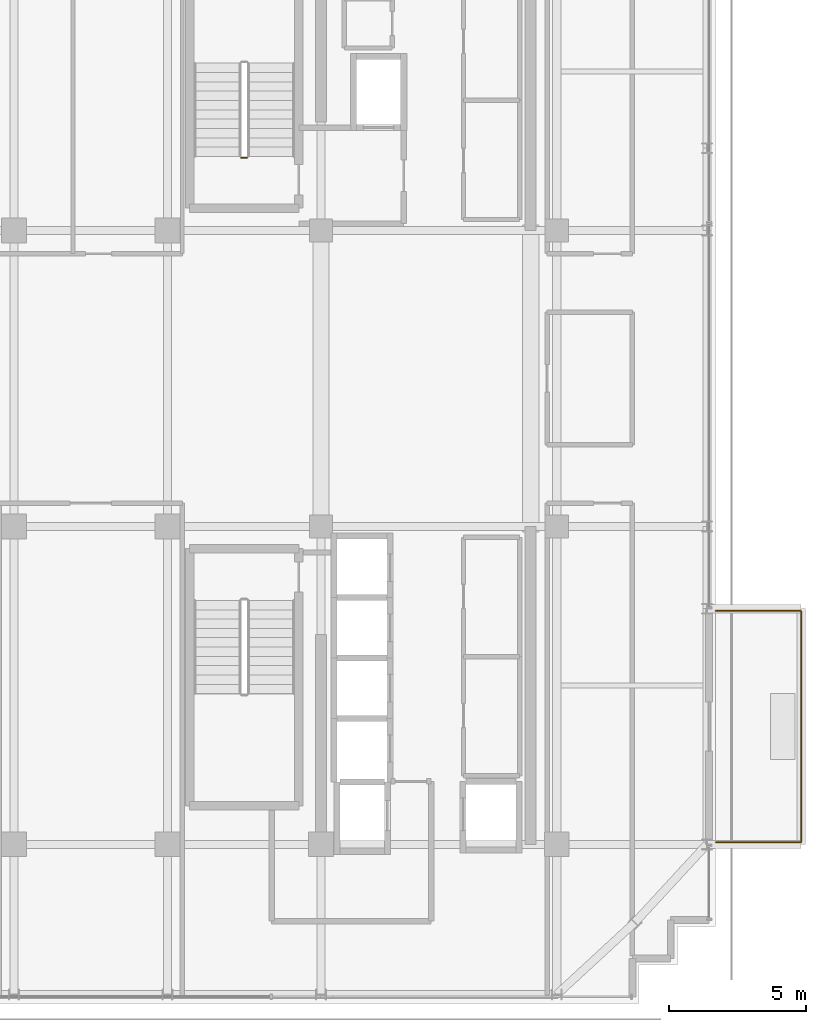
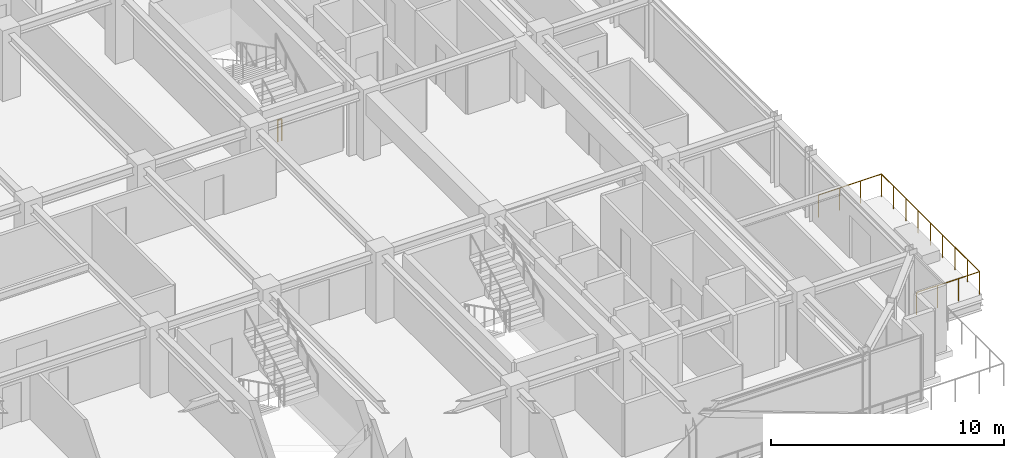
# One storey, part 30 of 32: 2 railings.
"""IFC4 building model written with IfcOpenShell, lengths in metres."""

import ifcopenshell
import ifcopenshell.guid

model = None  # the IFC model being written
_history = None  # IfcOwnerHistory: only IFC2X3 demands one
_inside = {}  # id of a spatial element -> (the spatial element, [elements in it])
_under = {}  # id of a project, library or spatial element -> (it, [spatial elements below it])
_declared = {}  # id of a project -> (the project, [libraries it declares])
_typed = {}  # id of a type object -> (the type object, [elements of that type])
_made_of = {}  # id of a material, layer set ... -> (it, [elements and type objects made of it])


def new_model(schema):
    """Start an empty IFC model of exactly this schema.

    Asked for "IFC4X3", IfcOpenShell would pick the latest addendum, in which some entities
    have other attributes; the version numbers below select the first issue.
    IFC2X3 requires an IfcOwnerHistory on every rooted entity: one is made here for all.
    """
    global model, _history
    if schema == "IFC4X3":
        model = ifcopenshell.file(schema_version=(4, 3, 0, 0))
    else:
        model = ifcopenshell.file(schema=schema)
    _inside.clear()
    _under.clear()
    _declared.clear()
    _typed.clear()
    _made_of.clear()
    _history = None
    if model.schema == "IFC2X3":
        org = make("IfcOrganization", Name="unknown")
        user = make(
            "IfcPersonAndOrganization",
            ThePerson=make("IfcPerson", FamilyName="unknown"),
            TheOrganization=org,
        )
        app = make(
            "IfcApplication",
            ApplicationDeveloper=org,
            Version="unknown",
            ApplicationFullName="unknown",
            ApplicationIdentifier="unknown",
        )
        _history = make(
            "IfcOwnerHistory",
            OwningUser=user,
            OwningApplication=app,
            ChangeAction="ADDED",
            CreationDate=0,
        )
    return model


def make(cls, **values):
    """One entity of the class cls with the attributes given. An attribute that is None is left unset."""
    return model.create_entity(
        cls, **{name: value for name, value in values.items() if value is not None}
    )


def rooted(cls, **values):
    """An entity with a GlobalId (a new one), such as an element, a storey or a relation."""
    return make(cls, GlobalId=ifcopenshell.guid.new(), OwnerHistory=_history, **values)


def si_unit(unit_type, name, prefix=None):
    """IfcSIUnit, for example si_unit("LENGTHUNIT", "METRE", prefix="MILLI")."""
    return make("IfcSIUnit", UnitType=unit_type, Prefix=prefix, Name=name)


def assignment(units):
    """IfcUnitAssignment: the units of a project."""
    return None if units is None else make("IfcUnitAssignment", Units=units)


def point(xyz):
    """IfcCartesianPoint."""
    return None if xyz is None else make("IfcCartesianPoint", Coordinates=xyz)


def direction(xyz):
    """IfcDirection."""
    return None if xyz is None else make("IfcDirection", DirectionRatios=xyz)


def frame(location, z_axis=None, x_axis=None):
    """IfcAxis2Placement3D, a coordinate frame: its origin and axes. An axis left out is left unset."""
    return make(
        "IfcAxis2Placement3D",
        Location=point(location),
        Axis=direction(z_axis),
        RefDirection=direction(x_axis),
    )


def frame_2d(location, x_axis=None):
    """IfcAxis2Placement2D, a coordinate frame in the plane: its origin and x axis."""
    return make(
        "IfcAxis2Placement2D", Location=point(location), RefDirection=direction(x_axis)
    )


def origin():
    """The frame at (0, 0, 0) with its axes left unset."""
    return frame((0.0, 0.0, 0.0))


def origin_2d():
    """The frame at (0, 0) in the plane with its x axis left unset."""
    return frame_2d((0.0, 0.0))


def place(relative_to, where):
    """IfcLocalPlacement: puts the frame where relative to a parent placement (None: the world)."""
    return make(
        "IfcLocalPlacement", PlacementRelTo=relative_to, RelativePlacement=where
    )


def context(
    kind, dimensions, precision=None, world=None, true_north=None, identifier=None
):
    """IfcGeometricRepresentationContext, for example the 3D "Model" context."""
    return make(
        "IfcGeometricRepresentationContext",
        ContextIdentifier=identifier,
        ContextType=kind,
        CoordinateSpaceDimension=dimensions,
        Precision=precision,
        WorldCoordinateSystem=world,
        TrueNorth=true_north,
    )


def subcontext(parent, identifier, kind, view, scale=None):
    """IfcGeometricRepresentationSubContext, for example "Body" below "Model"."""
    return make(
        "IfcGeometricRepresentationSubContext",
        ContextIdentifier=identifier,
        ContextType=kind,
        ParentContext=parent,
        TargetScale=scale,
        TargetView=view,
    )


def project(units=None, contexts=None):
    """IfcProject with its units and contexts."""
    return rooted(
        "IfcProject",
        Name="project",
        RepresentationContexts=contexts,
        UnitsInContext=assignment(units),
    )


def spatial(cls, under=None, at=None, **own):
    """A site, building, storey or space (cls), placed at a placement, below another one or the project."""
    s = rooted(cls, ObjectPlacement=at, **own)
    if under is not None:
        _under.setdefault(under.id(), (under, []))[1].append(s)
    return s


def profile(cls, at=None, kind="AREA", **sizes):
    """A parametric profile (cls). Its sizes go by their IFC names, for example OverallWidth=200.0."""
    return make(cls, ProfileType=kind, Position=at, **sizes)


def circle(**sizes):
    """IfcCircleProfileDef."""
    return profile("IfcCircleProfileDef", **sizes)


def extrude(swept, where, along, depth):
    """IfcExtrudedAreaSolid: the profile swept, set in the frame where, extruded along a direction by depth."""
    return make(
        "IfcExtrudedAreaSolid",
        SweptArea=swept,
        Position=where,
        ExtrudedDirection=direction(along),
        Depth=depth,
    )


def shape(context_of_items, identifier, shape_type, items):
    """IfcShapeRepresentation: the items that make up one representation, for example the "Body"."""
    return make(
        "IfcShapeRepresentation",
        ContextOfItems=context_of_items,
        RepresentationIdentifier=identifier,
        RepresentationType=shape_type,
        Items=items,
    )


def material(Name=None, Category=None):
    """IfcMaterial."""
    return make("IfcMaterial", Name=Name, Category=Category)


def made_of(thing, what):
    """Note that an element or type object is made of a material, layer set ...; save() writes the relation."""
    if what is not None:
        _made_of.setdefault(what.id(), (what, []))[1].append(thing)
    return thing


def type_object(cls, material=None, **own):
    """A type object (cls), such as IfcWallType, which elements share."""
    return made_of(rooted(cls, **own), material)


def element(
    cls,
    number,
    at=None,
    inside=None,
    cuts=None,
    type_object=None,
    material=None,
    context=None,
    identifier="Body",
    shape_type=None,
    held_by="IfcProductDefinitionShape",
    body=None,
    shapes=None,
    **own,
):
    """One element of the class cls, such as IfcWall. Its Tag is "e" and its number.

    at: its placement. inside: the storey or other place that contains it. cuts: it is an
    opening in that element (IfcRelVoidsElement). A single representation is given by context,
    identifier, shape_type and body (its items); several are given by shapes. held_by: the class
    of the entity that holds the representations. save() writes the other relations.
    """
    e = rooted(cls, Tag="e%d" % number, ObjectPlacement=at, **own)
    if body is not None:
        shapes = [shape(context, identifier, shape_type, body)]
    if shapes is not None:
        e.Representation = make(held_by, Representations=shapes)
    if inside is not None:
        _inside.setdefault(inside.id(), (inside, []))[1].append(e)
    if cuts is not None:
        rooted(
            "IfcRelVoidsElement", RelatingBuildingElement=cuts, RelatedOpeningElement=e
        )
    if type_object is not None:
        _typed.setdefault(type_object.id(), (type_object, []))[1].append(e)
    return made_of(e, material)


def aggregate(whole, parts):
    """IfcRelAggregates: a whole, such as a stair, and the parts it consists of."""
    return rooted("IfcRelAggregates", RelatingObject=whole, RelatedObjects=parts)


def save(model, path):
    """Write the relations noted so far, then the file.

    IfcRelAggregates (storeys below a building ...), IfcRelContainedInSpatialStructure (elements
    in a storey), IfcRelDefinesByType, IfcRelAssociatesMaterial and IfcRelDeclares: one each for
    every whole, place, type object, material and project.
    """
    for whole, parts in _under.values():
        aggregate(whole, parts)
    for where, things in _inside.values():
        rooted(
            "IfcRelContainedInSpatialStructure",
            RelatedElements=things,
            RelatingStructure=where,
        )
    for kind, things in _typed.values():
        rooted("IfcRelDefinesByType", RelatedObjects=things, RelatingType=kind)
    for what, things in _made_of.values():
        rooted("IfcRelAssociatesMaterial", RelatedObjects=things, RelatingMaterial=what)
    for by, libraries in _declared.values():
        rooted("IfcRelDeclares", RelatingContext=by, RelatedDefinitions=libraries)
    model.write(path)


model = new_model("IFC4")

# Units and contexts
model_context = context("Model", 3, precision=1e-05, world=origin(), true_north=direction((0.0, 1.0)))
body_context = subcontext(model_context, "Body", "Model", "MODEL_VIEW")
ifc_project = project(units=[si_unit("LENGTHUNIT", "METRE"), si_unit("AREAUNIT", "SQUARE_METRE"), si_unit("VOLUMEUNIT", "CUBIC_METRE"), si_unit("PLANEANGLEUNIT", "RADIAN"), si_unit("MASSUNIT", "GRAM", prefix="KILO")], contexts=[model_context])

# Site, building, storey
site_placement = place(None, origin())
site = spatial("IfcSite", under=ifc_project, at=site_placement, CompositionType="ELEMENT")
building_placement = place(site_placement, origin())
building = spatial("IfcBuilding", under=site, at=building_placement, Name="Nahalor Promenade Grand Hotel", CompositionType="ELEMENT")
storey_placement = place(building_placement, frame((0.0, 0.0, 266.300048828125)))
storey = spatial("IfcBuildingStorey", under=building, at=storey_placement, Name="L68", CompositionType="ELEMENT", Elevation=266.300048828125)

# Railings
ifc_material_1 = material(Name="Anodised Bronze Aluminium EN AW-6063 T6", Category="aluminium")
railing_type_1 = type_object("IfcRailingType", Name="Bronze Balcony Guardrail 1200 mm", PredefinedType="GUARDRAIL", material=ifc_material_1)
railing_1_placement = place(storey_placement, frame((22.800048828125, -16.919921875, 0.0)))
element("IfcRailing", 1, at=railing_1_placement, inside=storey, type_object=railing_type_1, Name="L68 Balcony Guardrail 2", PredefinedType="GUARDRAIL", context=body_context, shape_type="SweptSolid", body=[
    extrude(circle(Radius=0.024048, at=origin_2d()), frame((0.0, 0.0, 1.17578125), z_axis=(1.0, 0.0, 0.0), x_axis=(0.0, 1.0, 0.0)), (0.0, 0.0, 1.0), 3.117919921875),
    extrude(circle(Radius=0.024048, at=origin_2d()), frame((3.119873046875, 0.001953125, 1.17578125), z_axis=(0.0, 1.0, 0.0), x_axis=(-1.0, 0.0, 0.0)), (0.0, 0.0, 1.0), 8.43603515625),
    extrude(circle(Radius=0.024048, at=origin_2d()), frame((3.117919921875, 8.43994140625, 1.17578125), z_axis=(-1.0, 0.0, 0.0), x_axis=(0.0, -1.0, 0.0)), (0.0, 0.0, 1.0), 3.117919921875),
    extrude(circle(Radius=0.020996, at=origin_2d()), origin(), (0.0, 0.0, 1.0), 1.14990234375),
    extrude(circle(Radius=0.020996, at=origin_2d()), frame((1.0400390625, 0.0, 0.0)), (0.0, 0.0, 1.0), 1.14990234375),
    extrude(circle(Radius=0.020996, at=origin_2d()), frame((2.079833984375, 0.0, 0.0)), (0.0, 0.0, 1.0), 1.14990234375),
    extrude(circle(Radius=0.020996, at=origin_2d()), frame((3.119873046875, 0.0, 0.0)), (0.0, 0.0, 1.0), 1.14990234375),
    extrude(circle(Radius=0.020996, at=origin_2d()), frame((3.119873046875, 1.054931640625, 0.0)), (0.0, 0.0, 1.0), 1.14990234375),
    extrude(circle(Radius=0.020996, at=origin_2d()), frame((3.119873046875, 2.10986328125, 0.0)), (0.0, 0.0, 1.0), 1.14990234375),
    extrude(circle(Radius=0.020996, at=origin_2d()), frame((3.119873046875, 3.1650390625, 0.0)), (0.0, 0.0, 1.0), 1.14990234375),
    extrude(circle(Radius=0.020996, at=origin_2d()), frame((3.119873046875, 4.219970703125, 0.0)), (0.0, 0.0, 1.0), 1.14990234375),
    extrude(circle(Radius=0.020996, at=origin_2d()), frame((3.119873046875, 5.27490234375, 0.0)), (0.0, 0.0, 1.0), 1.14990234375),
    extrude(circle(Radius=0.020996, at=origin_2d()), frame((3.119873046875, 6.330078125, 0.0)), (0.0, 0.0, 1.0), 1.14990234375),
    extrude(circle(Radius=0.020996, at=origin_2d()), frame((3.119873046875, 7.385009765625, 0.0)), (0.0, 0.0, 1.0), 1.14990234375),
    extrude(circle(Radius=0.020996, at=origin_2d()), frame((3.119873046875, 8.43994140625, 0.0)), (0.0, 0.0, 1.0), 1.14990234375),
    extrude(circle(Radius=0.020996, at=origin_2d()), frame((2.079833984375, 8.43994140625, 0.0)), (0.0, 0.0, 1.0), 1.14990234375),
    extrude(circle(Radius=0.020996, at=origin_2d()), frame((1.0400390625, 8.43994140625, 0.0)), (0.0, 0.0, 1.0), 1.14990234375),
    extrude(circle(Radius=0.020996, at=origin_2d()), frame((0.0, 8.43994140625, 0.0)), (0.0, 0.0, 1.0), 1.14990234375),
])
ifc_material_2 = material(Name="Steel S355JR", Category="steel")
railing_type_2 = type_object("IfcRailingType", Name="Steel Stair Guardrail 1150 mm", PredefinedType="GUARDRAIL", material=ifc_material_2)
railing_2_placement = place(storey_placement, frame((5.699951171875, 8.050048828125, 0.0)))
element("IfcRailing", 2, at=railing_2_placement, inside=storey, type_object=railing_type_2, Name="L68 ST1 stair guard 4", PredefinedType="GUARDRAIL", context=body_context, shape_type="SweptSolid", body=[
    extrude(circle(Radius=0.024048, at=origin_2d()), frame((0.0, 0.0, 1.1259765625), z_axis=(-1.0, 0.0, 0.0), x_axis=(0.0, -1.0, 0.0)), (0.0, 0.0, 1.0), 0.199951171875),
    extrude(circle(Radius=0.020996, at=origin_2d()), origin(), (0.0, 0.0, 1.0), 1.099853515625),
    extrude(circle(Radius=0.020996, at=origin_2d()), frame((-0.199951171875, 0.0, 0.0)), (0.0, 0.0, 1.0), 1.099853515625),
])

save(model, "model.ifc")
